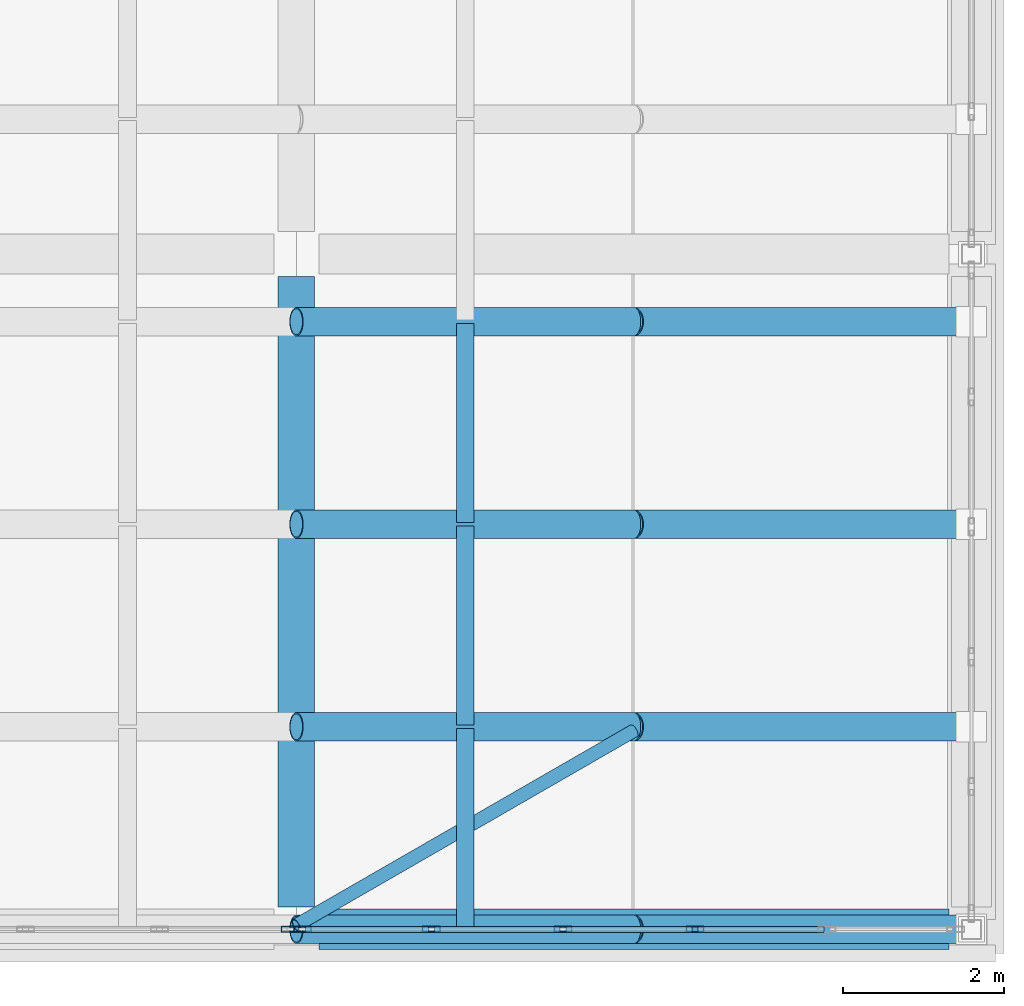
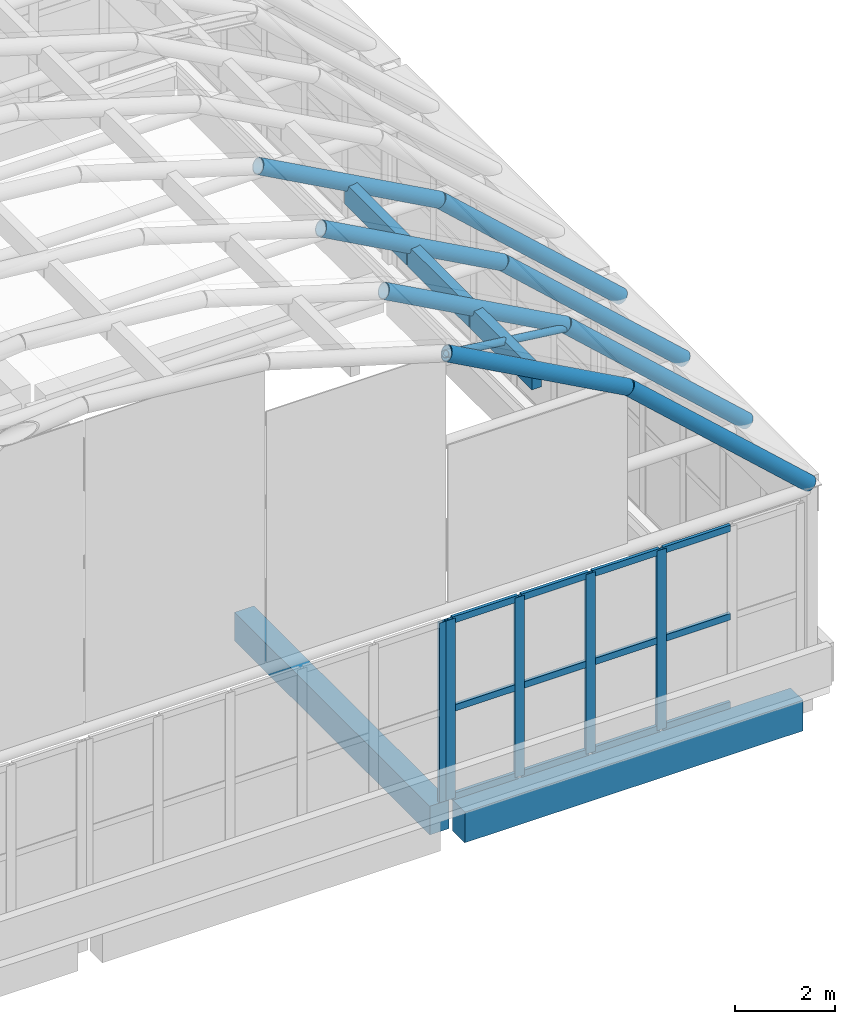
# One storey, part 11 of 26: 21 members, 10 beams, 2 elements without a shape of their own.
"""IFC4 building model written with IfcOpenShell, lengths in metres."""

from ifc_helpers import new_model, si_unit, direction, frame, origin, origin_2d, place, context, subcontext, project, spatial, rectangle, hollow_rectangle, hollow_circle, extrude, material, layer, layer_set, material_profile, profile_set, type_object, element, aggregate, save


model = new_model("IFC4")

# Units and contexts
model_context = context("Model", 3, precision=1e-05, world=origin(), true_north=direction((0.0, 1.0)))
body_context = subcontext(model_context, "Body", "Model", "MODEL_VIEW")
ifc_project = project(units=[si_unit("LENGTHUNIT", "METRE"), si_unit("AREAUNIT", "SQUARE_METRE"), si_unit("VOLUMEUNIT", "CUBIC_METRE"), si_unit("PLANEANGLEUNIT", "RADIAN"), si_unit("MASSUNIT", "GRAM", prefix="KILO")], contexts=[model_context])

# Site, building, storey
site_placement = place(None, origin())
site = spatial("IfcSite", under=ifc_project, at=site_placement, CompositionType="ELEMENT")
building_placement = place(site_placement, origin())
building = spatial("IfcBuilding", under=site, at=building_placement, Name="Xazarin Passage Department Store", CompositionType="ELEMENT")
storey_placement = place(building_placement, frame((0.0, 0.0, 36.89990234375)))
storey = spatial("IfcBuildingStorey", under=building, at=storey_placement, Name="RF", CompositionType="ELEMENT", Elevation=36.89990234375)

# Curtain wall, member
ifc_material_1 = material(Name="Bronze anodised aluminium", Category="aluminium")
ifc_layer = layer(ifc_material_1, 0.199951171875)
ifc_layer_set = layer_set([ifc_layer], Name="Bronze anodised aluminium")
curtain_wall_type = type_object("IfcCurtainWallType", Name="ARC-CW-VIT2", PredefinedType="NOTDEFINED", material=ifc_layer_set)
curtain_wall_1_placement = place(storey_placement, origin())
curtain_wall_1 = element("IfcCurtainWall", 1, at=curtain_wall_1_placement, inside=storey, type_object=curtain_wall_type, Name="RF V1 Atrium Lantern Curtain Wall 11", PredefinedType="NOTDEFINED")
ifc_material_profile_1 = material_profile(ifc_material_1, hollow_rectangle(XDim=0.074951171875, YDim=0.219970703125, WallThickness=0.0048828125, at=origin_2d()), Name="ALU 75x220")
ifc_profile_set_1 = profile_set([ifc_material_profile_1], Name="Bronze anodised aluminium")
member_type_1 = type_object("IfcMemberType", Name="ARC-CWM-75x220", PredefinedType="MULLION", material=ifc_profile_set_1)
member_1_placement = place(storey_placement, frame((25.12255859375, 76.39990234375, 0.0), z_axis=(0.0, 0.0, 1.0), x_axis=(0.0, 1.0, 0.0)))
member_1 = element("IfcMember", 2, at=member_1_placement, type_object=member_type_1, Name="CW2 mullion 6", PredefinedType="MULLION", context=body_context, shape_type="SweptSolid", body=[
    extrude(hollow_rectangle(XDim=0.074951171875, YDim=0.219970703125, WallThickness=0.0048828125, at=origin_2d()), origin(), (0.0, 0.0, 1.0), 4.404296875),
])
aggregate(curtain_wall_1, [member_1])

# Curtain wall, members
curtain_wall_2_placement = place(storey_placement, origin())
curtain_wall_2 = element("IfcCurtainWall", 3, at=curtain_wall_2_placement, inside=storey, type_object=curtain_wall_type, Name="RF V1 Atrium Lantern Curtain Wall 13", PredefinedType="NOTDEFINED")
member_2_placement = place(storey_placement, frame((25.277587890625, 76.39990234375, 0.0), z_axis=(0.0, 0.0, 1.0), x_axis=(0.0, 1.0, 0.0)))
member_2 = element("IfcMember", 4, at=member_2_placement, type_object=member_type_1, Name="CW2 mullion 1", PredefinedType="MULLION", context=body_context, shape_type="SweptSolid", body=[
    extrude(hollow_rectangle(XDim=0.074951171875, YDim=0.219970703125, WallThickness=0.0048828125, at=origin_2d()), origin(), (0.0, 0.0, 1.0), 4.404296875),
])
member_3_placement = place(storey_placement, frame((26.8798828125, 76.39990234375, 0.0), z_axis=(0.0, 0.0, 1.0), x_axis=(0.0, 1.0, 0.0)))
member_3 = element("IfcMember", 5, at=member_3_placement, type_object=member_type_1, Name="CW2 mullion 2", PredefinedType="MULLION", context=body_context, shape_type="SweptSolid", body=[
    extrude(hollow_rectangle(XDim=0.074951171875, YDim=0.219970703125, WallThickness=0.0048828125, at=origin_2d()), origin(), (0.0, 0.0, 1.0), 4.404296875),
])
member_4_placement = place(storey_placement, frame((28.52001953125, 76.39990234375, 0.0), z_axis=(0.0, 0.0, 1.0), x_axis=(0.0, 1.0, 0.0)))
member_4 = element("IfcMember", 6, at=member_4_placement, type_object=member_type_1, Name="CW2 mullion 3", PredefinedType="MULLION", context=body_context, shape_type="SweptSolid", body=[
    extrude(hollow_rectangle(XDim=0.074951171875, YDim=0.219970703125, WallThickness=0.0048828125, at=origin_2d()), origin(), (0.0, 0.0, 1.0), 4.404296875),
])
member_5_placement = place(storey_placement, frame((30.159912109375, 76.39990234375, 0.0), z_axis=(0.0, 0.0, 1.0), x_axis=(0.0, 1.0, 0.0)))
member_5 = element("IfcMember", 7, at=member_5_placement, type_object=member_type_1, Name="CW2 mullion 4", PredefinedType="MULLION", context=body_context, shape_type="SweptSolid", body=[
    extrude(hollow_rectangle(XDim=0.074951171875, YDim=0.219970703125, WallThickness=0.0048828125, at=origin_2d()), origin(), (0.0, 0.0, 1.0), 4.404296875),
])
ifc_material_profile_2 = material_profile(ifc_material_1, hollow_rectangle(XDim=0.074951171875, YDim=0.159912109375, WallThickness=0.00439453125, at=origin_2d()), Name="ALU 75x160")
ifc_profile_set_2 = profile_set([ifc_material_profile_2], Name="Bronze anodised aluminium")
member_type_2 = type_object("IfcMemberType", Name="ARC-CWT-75x160", PredefinedType="USERDEFINED", material=ifc_profile_set_2)
member_6_placement = place(storey_placement, frame((25.31494140625, 76.39990234375, 0.03759765625), z_axis=(1.0, 0.0, 0.0), x_axis=(0.0, 1.0, 0.0)))
member_6 = element("IfcMember", 8, at=member_6_placement, type_object=member_type_2, Name="CW2 transom 1.1", ObjectType="TRANSOM", PredefinedType="USERDEFINED", context=body_context, shape_type="SweptSolid", body=[
    extrude(hollow_rectangle(XDim=0.074951171875, YDim=0.159912109375, WallThickness=0.00439453125, at=origin_2d()), origin(), (0.0, 0.0, 1.0), 1.527587890625),
])
member_7_placement = place(storey_placement, frame((25.31494140625, 76.39990234375, 2.2021484375), z_axis=(1.0, 0.0, 0.0), x_axis=(0.0, 1.0, 0.0)))
member_7 = element("IfcMember", 9, at=member_7_placement, type_object=member_type_2, Name="CW2 transom 1.2", ObjectType="TRANSOM", PredefinedType="USERDEFINED", context=body_context, shape_type="SweptSolid", body=[
    extrude(hollow_rectangle(XDim=0.074951171875, YDim=0.159912109375, WallThickness=0.00439453125, at=origin_2d()), origin(), (0.0, 0.0, 1.0), 1.527587890625),
])
member_8_placement = place(storey_placement, frame((25.31494140625, 76.39990234375, 4.36669921875), z_axis=(1.0, 0.0, 0.0), x_axis=(0.0, 1.0, 0.0)))
member_8 = element("IfcMember", 10, at=member_8_placement, type_object=member_type_2, Name="CW2 transom 1.3", ObjectType="TRANSOM", PredefinedType="USERDEFINED", context=body_context, shape_type="SweptSolid", body=[
    extrude(hollow_rectangle(XDim=0.074951171875, YDim=0.159912109375, WallThickness=0.00439453125, at=origin_2d()), origin(), (0.0, 0.0, 1.0), 1.527587890625),
])
member_9_placement = place(storey_placement, frame((26.91748046875, 76.39990234375, 0.03759765625), z_axis=(1.0, 0.0, 0.0), x_axis=(0.0, 1.0, 0.0)))
member_9 = element("IfcMember", 11, at=member_9_placement, type_object=member_type_2, Name="CW2 transom 2.1", ObjectType="TRANSOM", PredefinedType="USERDEFINED", context=body_context, shape_type="SweptSolid", body=[
    extrude(hollow_rectangle(XDim=0.074951171875, YDim=0.159912109375, WallThickness=0.00439453125, at=origin_2d()), origin(), (0.0, 0.0, 1.0), 1.56494140625),
])
member_10_placement = place(storey_placement, frame((26.91748046875, 76.39990234375, 2.2021484375), z_axis=(1.0, 0.0, 0.0), x_axis=(0.0, 1.0, 0.0)))
member_10 = element("IfcMember", 12, at=member_10_placement, type_object=member_type_2, Name="CW2 transom 2.2", ObjectType="TRANSOM", PredefinedType="USERDEFINED", context=body_context, shape_type="SweptSolid", body=[
    extrude(hollow_rectangle(XDim=0.074951171875, YDim=0.159912109375, WallThickness=0.00439453125, at=origin_2d()), origin(), (0.0, 0.0, 1.0), 1.56494140625),
])
member_11_placement = place(storey_placement, frame((26.91748046875, 76.39990234375, 4.36669921875), z_axis=(1.0, 0.0, 0.0), x_axis=(0.0, 1.0, 0.0)))
member_11 = element("IfcMember", 13, at=member_11_placement, type_object=member_type_2, Name="CW2 transom 2.3", ObjectType="TRANSOM", PredefinedType="USERDEFINED", context=body_context, shape_type="SweptSolid", body=[
    extrude(hollow_rectangle(XDim=0.074951171875, YDim=0.159912109375, WallThickness=0.00439453125, at=origin_2d()), origin(), (0.0, 0.0, 1.0), 1.56494140625),
])
member_12_placement = place(storey_placement, frame((28.5576171875, 76.39990234375, 0.03759765625), z_axis=(1.0, 0.0, 0.0), x_axis=(0.0, 1.0, 0.0)))
member_12 = element("IfcMember", 14, at=member_12_placement, type_object=member_type_2, Name="CW2 transom 3.1", ObjectType="TRANSOM", PredefinedType="USERDEFINED", context=body_context, shape_type="SweptSolid", body=[
    extrude(hollow_rectangle(XDim=0.074951171875, YDim=0.159912109375, WallThickness=0.00439453125, at=origin_2d()), origin(), (0.0, 0.0, 1.0), 1.56494140625),
])
member_13_placement = place(storey_placement, frame((28.5576171875, 76.39990234375, 2.2021484375), z_axis=(1.0, 0.0, 0.0), x_axis=(0.0, 1.0, 0.0)))
member_13 = element("IfcMember", 15, at=member_13_placement, type_object=member_type_2, Name="CW2 transom 3.2", ObjectType="TRANSOM", PredefinedType="USERDEFINED", context=body_context, shape_type="SweptSolid", body=[
    extrude(hollow_rectangle(XDim=0.074951171875, YDim=0.159912109375, WallThickness=0.00439453125, at=origin_2d()), origin(), (0.0, 0.0, 1.0), 1.56494140625),
])
member_14_placement = place(storey_placement, frame((28.5576171875, 76.39990234375, 4.36669921875), z_axis=(1.0, 0.0, 0.0), x_axis=(0.0, 1.0, 0.0)))
member_14 = element("IfcMember", 16, at=member_14_placement, type_object=member_type_2, Name="CW2 transom 3.3", ObjectType="TRANSOM", PredefinedType="USERDEFINED", context=body_context, shape_type="SweptSolid", body=[
    extrude(hollow_rectangle(XDim=0.074951171875, YDim=0.159912109375, WallThickness=0.00439453125, at=origin_2d()), origin(), (0.0, 0.0, 1.0), 1.56494140625),
])
member_15_placement = place(storey_placement, frame((30.197509765625, 76.39990234375, 0.03759765625), z_axis=(1.0, 0.0, 0.0), x_axis=(0.0, 1.0, 0.0)))
member_15 = element("IfcMember", 17, at=member_15_placement, type_object=member_type_2, Name="CW2 transom 4.1", ObjectType="TRANSOM", PredefinedType="USERDEFINED", context=body_context, shape_type="SweptSolid", body=[
    extrude(hollow_rectangle(XDim=0.074951171875, YDim=0.159912109375, WallThickness=0.00439453125, at=origin_2d()), origin(), (0.0, 0.0, 1.0), 1.56494140625),
])
member_16_placement = place(storey_placement, frame((30.197509765625, 76.39990234375, 2.2021484375), z_axis=(1.0, 0.0, 0.0), x_axis=(0.0, 1.0, 0.0)))
member_16 = element("IfcMember", 18, at=member_16_placement, type_object=member_type_2, Name="CW2 transom 4.2", ObjectType="TRANSOM", PredefinedType="USERDEFINED", context=body_context, shape_type="SweptSolid", body=[
    extrude(hollow_rectangle(XDim=0.074951171875, YDim=0.159912109375, WallThickness=0.00439453125, at=origin_2d()), origin(), (0.0, 0.0, 1.0), 1.56494140625),
])
member_17_placement = place(storey_placement, frame((30.197509765625, 76.39990234375, 4.36669921875), z_axis=(1.0, 0.0, 0.0), x_axis=(0.0, 1.0, 0.0)))
member_17 = element("IfcMember", 19, at=member_17_placement, type_object=member_type_2, Name="CW2 transom 4.3", ObjectType="TRANSOM", PredefinedType="USERDEFINED", context=body_context, shape_type="SweptSolid", body=[
    extrude(hollow_rectangle(XDim=0.074951171875, YDim=0.159912109375, WallThickness=0.00439453125, at=origin_2d()), origin(), (0.0, 0.0, 1.0), 1.56494140625),
])
aggregate(curtain_wall_2, [member_2, member_3, member_4, member_5, member_6, member_7, member_8, member_9, member_10, member_11, member_12, member_13, member_14, member_15, member_16, member_17])

# Beams
ifc_material_2 = material(Name="Steel S355", Category="steel")
ifc_material_profile_3 = material_profile(ifc_material_2, hollow_circle(Radius=0.177734375, WallThickness=0.01611328125, at=origin_2d()), Name="CHS 355.6x16")
ifc_profile_set_3 = profile_set([ifc_material_profile_3], Name="Steel S355")
beam_type_1 = type_object("IfcBeamType", Name="STR-BM-AR355", PredefinedType="BEAM", material=ifc_profile_set_3)
beam_1_placement = place(storey_placement, frame((25.199951171875, 76.39990234375, 10.933349609375), z_axis=(0.877197007336, 0.0, -0.480130617978), x_axis=(0.0, 1.0, 0.0)))
element("IfcBeam", 20, at=beam_1_placement, inside=storey, type_object=beam_type_1, Name="V1V Primary Arch Rib 1.7", PredefinedType="BEAM", context=body_context, shape_type="SweptSolid", body=[
    extrude(hollow_circle(Radius=0.177734375, WallThickness=0.01611328125, at=origin_2d()), origin(), (0.0, 0.0, 1.0), 4.787841796875),
])
beam_2_placement = place(storey_placement, frame((29.39990234375, 76.39990234375, 8.634521484375), z_axis=(0.7388916912, 0.0, -0.673824211999), x_axis=(0.0, 1.0, 0.0)))
element("IfcBeam", 21, at=beam_2_placement, inside=storey, type_object=beam_type_1, Name="V1V Primary Arch Rib 1.8", PredefinedType="BEAM", context=body_context, shape_type="SweptSolid", body=[
    extrude(hollow_circle(Radius=0.177734375, WallThickness=0.01611328125, at=origin_2d()), origin(), (0.0, 0.0, 1.0), 5.6845703125),
])
beam_3_placement = place(storey_placement, frame((25.199951171875, 78.919921875, 10.933349609375), z_axis=(0.877197007336, 0.0, -0.480130617978), x_axis=(0.0, 1.0, 0.0)))
element("IfcBeam", 22, at=beam_3_placement, inside=storey, type_object=beam_type_1, Name="V1V Primary Arch Rib 2.7", PredefinedType="BEAM", context=body_context, shape_type="SweptSolid", body=[
    extrude(hollow_circle(Radius=0.177734375, WallThickness=0.01611328125, at=origin_2d()), origin(), (0.0, 0.0, 1.0), 4.787841796875),
])
beam_4_placement = place(storey_placement, frame((29.39990234375, 78.919921875, 8.634521484375), z_axis=(0.7388916912, 0.0, -0.673824211999), x_axis=(0.0, 1.0, 0.0)))
element("IfcBeam", 23, at=beam_4_placement, inside=storey, type_object=beam_type_1, Name="V1V Primary Arch Rib 2.8", PredefinedType="BEAM", context=body_context, shape_type="SweptSolid", body=[
    extrude(hollow_circle(Radius=0.177734375, WallThickness=0.01611328125, at=origin_2d()), origin(), (0.0, 0.0, 1.0), 5.6845703125),
])
beam_5_placement = place(storey_placement, frame((25.199951171875, 81.43994140625, 10.933349609375), z_axis=(0.877197007336, 0.0, -0.480130617978), x_axis=(0.0, 1.0, 0.0)))
element("IfcBeam", 24, at=beam_5_placement, inside=storey, type_object=beam_type_1, Name="V1V Primary Arch Rib 3.7", PredefinedType="BEAM", context=body_context, shape_type="SweptSolid", body=[
    extrude(hollow_circle(Radius=0.177734375, WallThickness=0.01611328125, at=origin_2d()), origin(), (0.0, 0.0, 1.0), 4.787841796875),
])
beam_6_placement = place(storey_placement, frame((29.39990234375, 81.43994140625, 8.634521484375), z_axis=(0.7388916912, 0.0, -0.673824211999), x_axis=(0.0, 1.0, 0.0)))
element("IfcBeam", 25, at=beam_6_placement, inside=storey, type_object=beam_type_1, Name="V1V Primary Arch Rib 3.8", PredefinedType="BEAM", context=body_context, shape_type="SweptSolid", body=[
    extrude(hollow_circle(Radius=0.177734375, WallThickness=0.01611328125, at=origin_2d()), origin(), (0.0, 0.0, 1.0), 5.6845703125),
])
beam_7_placement = place(storey_placement, frame((25.199951171875, 83.9599609375, 10.933349609375), z_axis=(0.877197007336, 0.0, -0.480130617978), x_axis=(0.0, 1.0, 0.0)))
element("IfcBeam", 26, at=beam_7_placement, inside=storey, type_object=beam_type_1, Name="V1V Primary Arch Rib 4.7", PredefinedType="BEAM", context=body_context, shape_type="SweptSolid", body=[
    extrude(hollow_circle(Radius=0.177734375, WallThickness=0.01611328125, at=origin_2d()), origin(), (0.0, 0.0, 1.0), 4.787841796875),
])
beam_8_placement = place(storey_placement, frame((29.39990234375, 83.9599609375, 8.634521484375), z_axis=(0.7388916912, 0.0, -0.673824211999), x_axis=(0.0, 1.0, 0.0)))
element("IfcBeam", 27, at=beam_8_placement, inside=storey, type_object=beam_type_1, Name="V1V Primary Arch Rib 4.8", PredefinedType="BEAM", context=body_context, shape_type="SweptSolid", body=[
    extrude(hollow_circle(Radius=0.177734375, WallThickness=0.01611328125, at=origin_2d()), origin(), (0.0, 0.0, 1.0), 5.6845703125),
])
ifc_material_3 = material(Name="Concrete C35/45", Category="concrete")
ifc_material_profile_4 = material_profile(ifc_material_3, rectangle(XDim=0.449951171875, YDim=0.699951171875, at=origin_2d()), Name="RC 450x700")
ifc_profile_set_4 = profile_set([ifc_material_profile_4], Name="Concrete C35/45")
beam_type_2 = type_object("IfcBeamType", Name="STR-BM-G450x700", PredefinedType="BEAM", material=ifc_profile_set_4)
beam_9_placement = place(storey_placement, frame((25.199951171875, 76.679931640625, -0.60986328125), z_axis=(0.0, 1.0, 0.0), x_axis=(-1.0, 0.0, 0.0)))
element("IfcBeam", 28, at=beam_9_placement, inside=storey, type_object=beam_type_2, Name="RF Grid Beam 4/L-M", PredefinedType="BEAM", context=body_context, shape_type="SweptSolid", body=[
    extrude(rectangle(XDim=0.449951171875, YDim=0.699951171875, at=origin_2d()), origin(), (0.0, 0.0, 1.0), 7.840087890625),
])
ifc_material_profile_5 = material_profile(ifc_material_3, rectangle(XDim=0.5, YDim=0.75, at=origin_2d()), Name="RC 500x750")
ifc_profile_set_5 = profile_set([ifc_material_profile_5], Name="Concrete C35/45")
beam_type_3 = type_object("IfcBeamType", Name="STR-BM-SP500x750", PredefinedType="SPANDREL", material=ifc_profile_set_5)
beam_10_placement = place(storey_placement, frame((25.47998046875, 76.39990234375, -0.635009765625), z_axis=(1.0, 0.0, 0.0), x_axis=(0.0, 1.0, 0.0)))
element("IfcBeam", 29, at=beam_10_placement, inside=storey, type_object=beam_type_3, Name="RF Grid Beam L/4-5", PredefinedType="SPANDREL", context=body_context, shape_type="SweptSolid", body=[
    extrude(rectangle(XDim=0.5, YDim=0.75, at=origin_2d()), origin(), (0.0, 0.0, 1.0), 7.840087890625),
])

# Members
ifc_material_profile_6 = material_profile(ifc_material_2, hollow_circle(Radius=0.084228515625, WallThickness=0.010009765625, at=origin_2d()), Name="CHS 168.3x10")
ifc_profile_set_6 = profile_set([ifc_material_profile_6], Name="Steel S355")
member_type_3 = type_object("IfcMemberType", Name="STR-MEM-BR168", PredefinedType="BRACE", material=ifc_profile_set_6)
member_18_placement = place(storey_placement, frame((25.199951171875, 76.449951171875, 10.88330078125), z_axis=(0.782867479074, 0.451116974949, -0.428499690923), x_axis=(-0.499276194257, 0.866442890125, 0.0)))
element("IfcMember", 30, at=member_18_placement, inside=storey, type_object=member_type_3, Name="V1V Gridshell Diagonal Brace 1.6", PredefinedType="BRACE", context=body_context, shape_type="SweptSolid", body=[
    extrude(hollow_circle(Radius=0.084228515625, WallThickness=0.010009765625, at=origin_2d()), origin(), (0.0, 0.0, 1.0), 5.36474609375),
])
ifc_material_4 = material(Name="Glulam GL28h", Category="wood")
ifc_material_profile_7 = material_profile(ifc_material_4, rectangle(XDim=0.219970703125, YDim=0.52001953125, at=origin_2d()), Name="GL28h 220x520")
ifc_profile_set_7 = profile_set([ifc_material_profile_7], Name="Glulam GL28h")
member_type_4 = type_object("IfcMemberType", Name="STR-MEM-GL520", PredefinedType="PURLIN", material=ifc_profile_set_7)
for number, where, z_axis, x_axis, name in (
    (31, (27.300048828125, 76.419921875, 9.581787109375), (0.0, 1.0, 0.0), (-1.0, 0.0, 0.0), "V1V Glulam Gridshell Purlin 1.7"),
    (32, (27.300048828125, 78.93994140625, 9.581787109375), (0.0, 1.0, 0.0), (-1.0, 0.0, 0.0), "V1V Glulam Gridshell Purlin 2.7"),
    (33, (27.300048828125, 81.4599609375, 9.581787109375), (0.0, 1.0, 0.0), (-1.0, 0.0, 0.0), "V1V Glulam Gridshell Purlin 3.7"),
):
    element("IfcMember", number, at=place(storey_placement, frame(where, z_axis=z_axis, x_axis=x_axis)), inside=storey, type_object=member_type_4, Name=name, PredefinedType="PURLIN", context=body_context, shape_type="SweptSolid", body=[
        extrude(rectangle(XDim=0.219970703125, YDim=0.52001953125, at=origin_2d()), origin(), (0.0, 0.0, 1.0), 2.47998046875),
    ])

save(model, "model.ifc")
